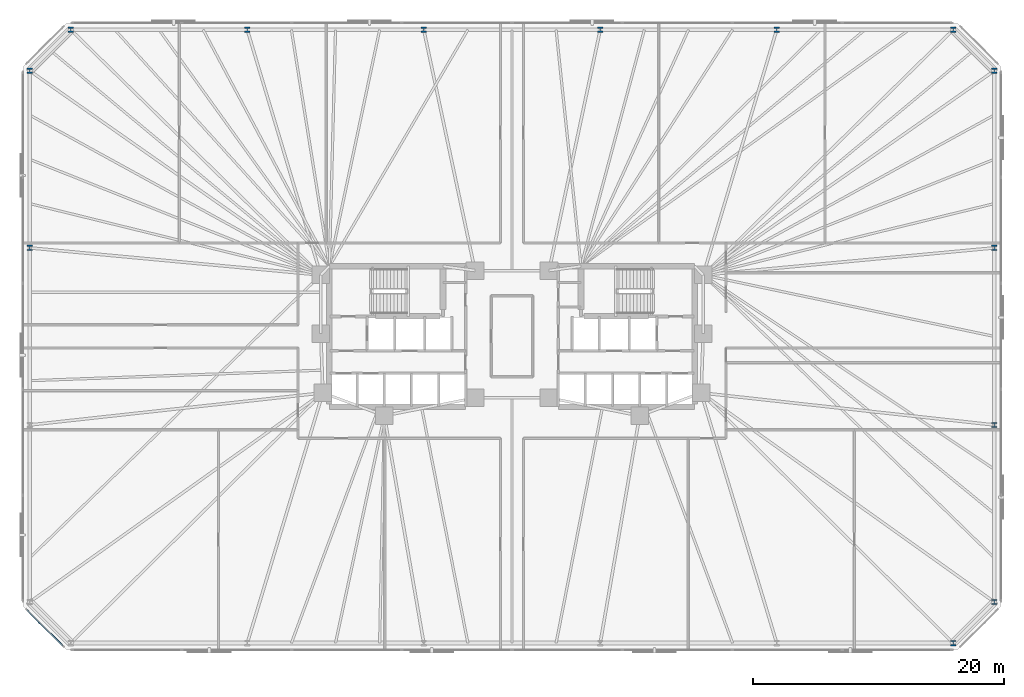
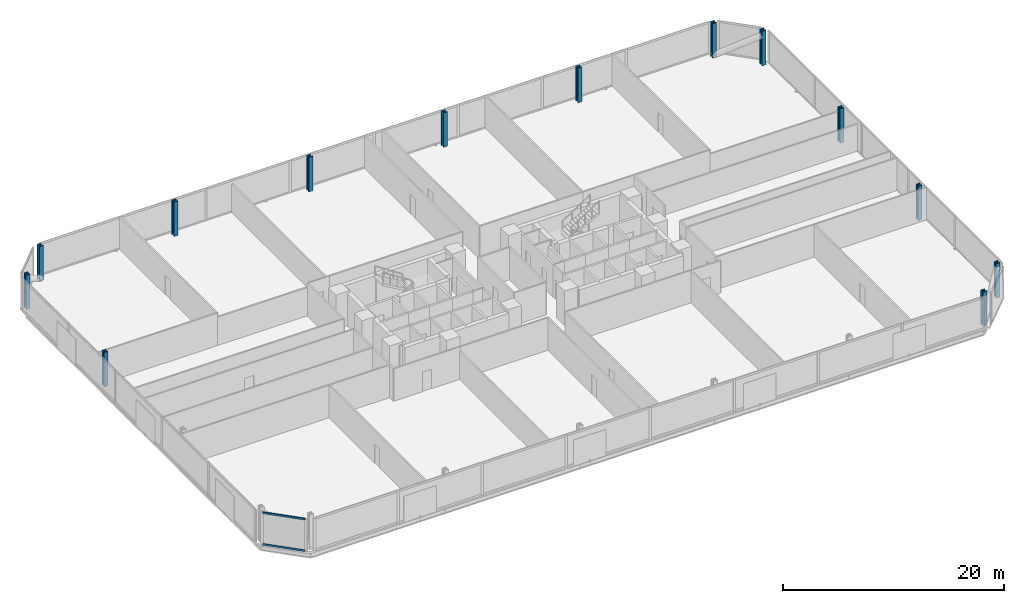
# One storey, part 5 of 17: 13 columns, 2 members, 1 element without a shape of its own.
"""IFC4 building model written with IfcOpenShell, lengths in metres."""

from ifc_helpers import new_model, si_unit, direction, frame, origin, origin_2d, place, context, subcontext, project, spatial, rectangle, i_section, extrude, material, material_profile, profile_set, type_object, element, aggregate, save


model = new_model("IFC4")

# Units and contexts
model_context = context("Model", 3, precision=1e-05, world=origin(), true_north=direction((0.0, 1.0)))
body_context = subcontext(model_context, "Body", "Model", "MODEL_VIEW")
ifc_project = project(units=[si_unit("LENGTHUNIT", "METRE"), si_unit("AREAUNIT", "SQUARE_METRE"), si_unit("VOLUMEUNIT", "CUBIC_METRE"), si_unit("PLANEANGLEUNIT", "RADIAN"), si_unit("MASSUNIT", "GRAM", prefix="KILO")], contexts=[model_context])

# Site, building, storey
site_placement = place(None, origin())
site = spatial("IfcSite", under=ifc_project, at=site_placement, CompositionType="ELEMENT")
building_placement = place(site_placement, origin())
building = spatial("IfcBuilding", under=site, at=building_placement, Name="Menara Jurai Vektor", CompositionType="ELEMENT")
storey_placement = place(building_placement, frame((0.0, 0.0, 71.199951171875)))
storey = spatial("IfcBuildingStorey", under=building, at=storey_placement, Name="L17", CompositionType="ELEMENT", Elevation=71.199951171875)

# Columns
ifc_material_1 = material(Name="Steel S460", Category="steel")
ifc_material_profile_1 = material_profile(ifc_material_1, i_section(OverallWidth=0.419921875, OverallDepth=0.430908203125, WebThickness=0.06494140625, FlangeThickness=0.10595703125, FilletRadius=0.014892578125, at=origin_2d()), Name="HD 400x900")
ifc_profile_set_1 = profile_set([ifc_material_profile_1], Name="Steel S460")
column_type = type_object("IfcColumnType", Name="STR-EXO-BLK1", PredefinedType="COLUMN", material=ifc_profile_set_1)
for number, where, z_axis, x_axis, name in (
    (1, (35.177734375, -24.449951171875, 0.0), (0.0, 0.0, 1.0), (1.0, 0.0, 0.0), "Exoskeleton Column BLK1-S6 L17"),
    (2, (38.449951171875, -21.177734375, 0.0), (0.0, 0.0, 1.0), (1.0, 0.0, 0.0), "Exoskeleton Column BLK1-E1 L17"),
    (3, (38.449951171875, -7.059326171875, 0.0), (0.0, 0.0, 1.0), (1.0, 0.0, 0.0), "Exoskeleton Column BLK1-E2 L17"),
    (4, (38.449951171875, 7.059326171875, 0.0), (0.0, 0.0, 1.0), (1.0, 0.0, 0.0), "Exoskeleton Column BLK1-E3 L17"),
    (5, (38.449951171875, 21.177734375, 0.0), (0.0, 0.0, 1.0), (1.0, 0.0, 0.0), "Exoskeleton Column BLK1-E4 L17"),
    (6, (35.177734375, 24.449951171875, 0.0), (0.0, 0.0, 1.0), (1.0, 0.0, 0.0), "Exoskeleton Column BLK1-N1 L17"),
    (7, (21.106689453125, 24.449951171875, 0.0), (0.0, 0.0, 1.0), (1.0, 0.0, 0.0), "Exoskeleton Column BLK1-N2 L17"),
    (8, (7.03564453125, 24.449951171875, 0.0), (0.0, 0.0, 1.0), (1.0, 0.0, 0.0), "Exoskeleton Column BLK1-N3 L17"),
    (9, (-7.03564453125, 24.449951171875, 0.0), (0.0, 0.0, 1.0), (1.0, 0.0, 0.0), "Exoskeleton Column BLK1-N4 L17"),
    (10, (-21.106689453125, 24.449951171875, 0.0), (0.0, 0.0, 1.0), (1.0, 0.0, 0.0), "Exoskeleton Column BLK1-N5 L17"),
    (11, (-35.177734375, 24.449951171875, 0.0), (0.0, 0.0, 1.0), (1.0, 0.0, 0.0), "Exoskeleton Column BLK1-N6 L17"),
    (12, (-38.449951171875, 21.177734375, 0.0), (0.0, 0.0, 1.0), (1.0, 0.0, 0.0), "Exoskeleton Column BLK1-W1 L17"),
    (13, (-38.449951171875, 7.059326171875, 0.0), (0.0, 0.0, 1.0), (1.0, 0.0, 0.0), "Exoskeleton Column BLK1-W2 L17"),
):
    element("IfcColumn", number, at=place(storey_placement, frame(where, z_axis=z_axis, x_axis=x_axis)), inside=storey, type_object=column_type, Name=name, PredefinedType="COLUMN", context=body_context, shape_type="SweptSolid", body=[
        extrude(i_section(OverallWidth=0.419921875, OverallDepth=0.430908203125, WebThickness=0.06494140625, FlangeThickness=0.10595703125, FilletRadius=0.014892578125, at=origin_2d()), origin(), (0.0, 0.0, 1.0), 3.800048828125),
    ])

# Curtain wall, members
ifc_material_2 = material(Name="Anodised Pale Aluminium & Low-E Double Glazing", Category="aluminium")
curtain_wall_type = type_object("IfcCurtainWallType", Name="CW-BLK1", PredefinedType="NOTDEFINED", material=ifc_material_2)
curtain_wall_placement = place(storey_placement, origin())
curtain_wall = element("IfcCurtainWall", 14, at=curtain_wall_placement, inside=storey, type_object=curtain_wall_type, Name="Unitised Curtain Wall L17 F08", PredefinedType="NOTDEFINED")
ifc_material_3 = material(Name="Anodised Pale Aluminium Transom", Category="aluminium")
ifc_material_profile_2 = material_profile(ifc_material_3, rectangle(XDim=0.094970703125, YDim=0.199951171875, at=origin_2d()), Name="ALU TRN 95x200")
ifc_profile_set_2 = profile_set([ifc_material_profile_2], Name="Anodised Pale Aluminium Transom")
member_type = type_object("IfcMemberType", Name="CW-BLK1-TRN", PredefinedType="USERDEFINED", material=ifc_profile_set_2)
member_1_placement = place(storey_placement, frame((-38.6640625, -21.8359375, 0.047607421875), z_axis=(0.707106781187, -0.707106781187, 0.0), x_axis=(0.707106781187, 0.707106781187, 0.0)))
member_1 = element("IfcMember", 15, at=member_1_placement, type_object=member_type, Name="CW-01 transom 1.1", ObjectType="TRANSOM", PredefinedType="USERDEFINED", context=body_context, shape_type="SweptSolid", body=[
    extrude(rectangle(XDim=0.094970703125, YDim=0.199951171875, at=origin_2d()), origin(), (0.0, 0.0, 1.0), 3.99951171875),
])
member_2_placement = place(storey_placement, frame((-38.6640625, -21.8359375, 3.527587890625), z_axis=(0.707106781187, -0.707106781187, 0.0), x_axis=(0.707106781187, 0.707106781187, 0.0)))
member_2 = element("IfcMember", 16, at=member_2_placement, type_object=member_type, Name="CW-01 transom 1.2", ObjectType="TRANSOM", PredefinedType="USERDEFINED", context=body_context, shape_type="SweptSolid", body=[
    extrude(rectangle(XDim=0.094970703125, YDim=0.199951171875, at=origin_2d()), origin(), (0.0, 0.0, 1.0), 3.99951171875),
])
aggregate(curtain_wall, [member_1, member_2])

save(model, "model.ifc")
